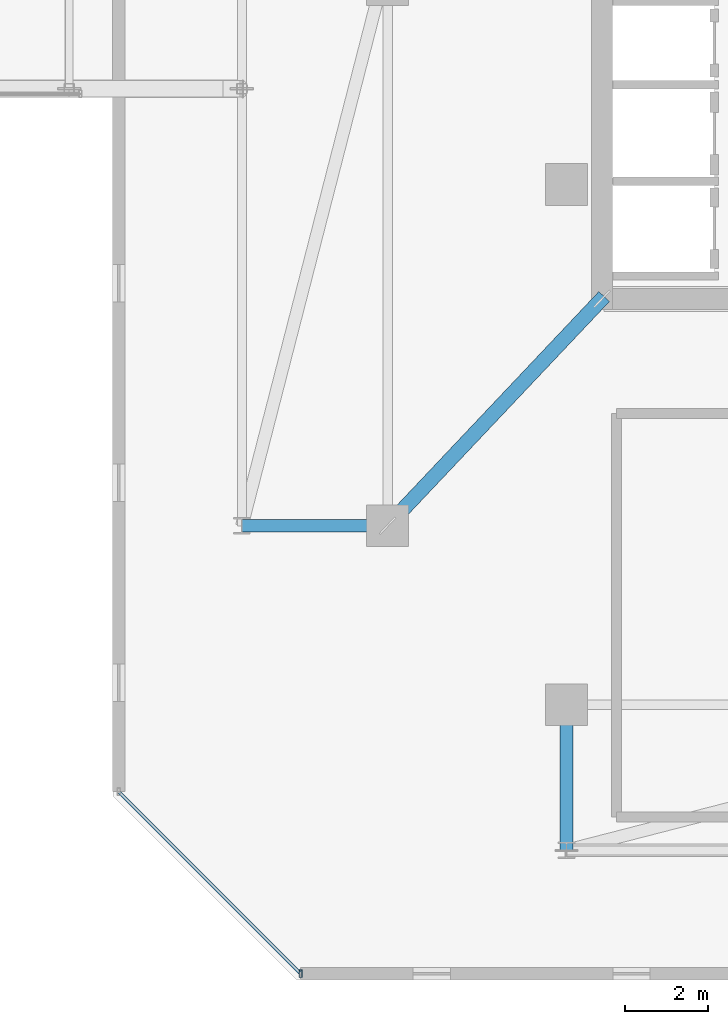
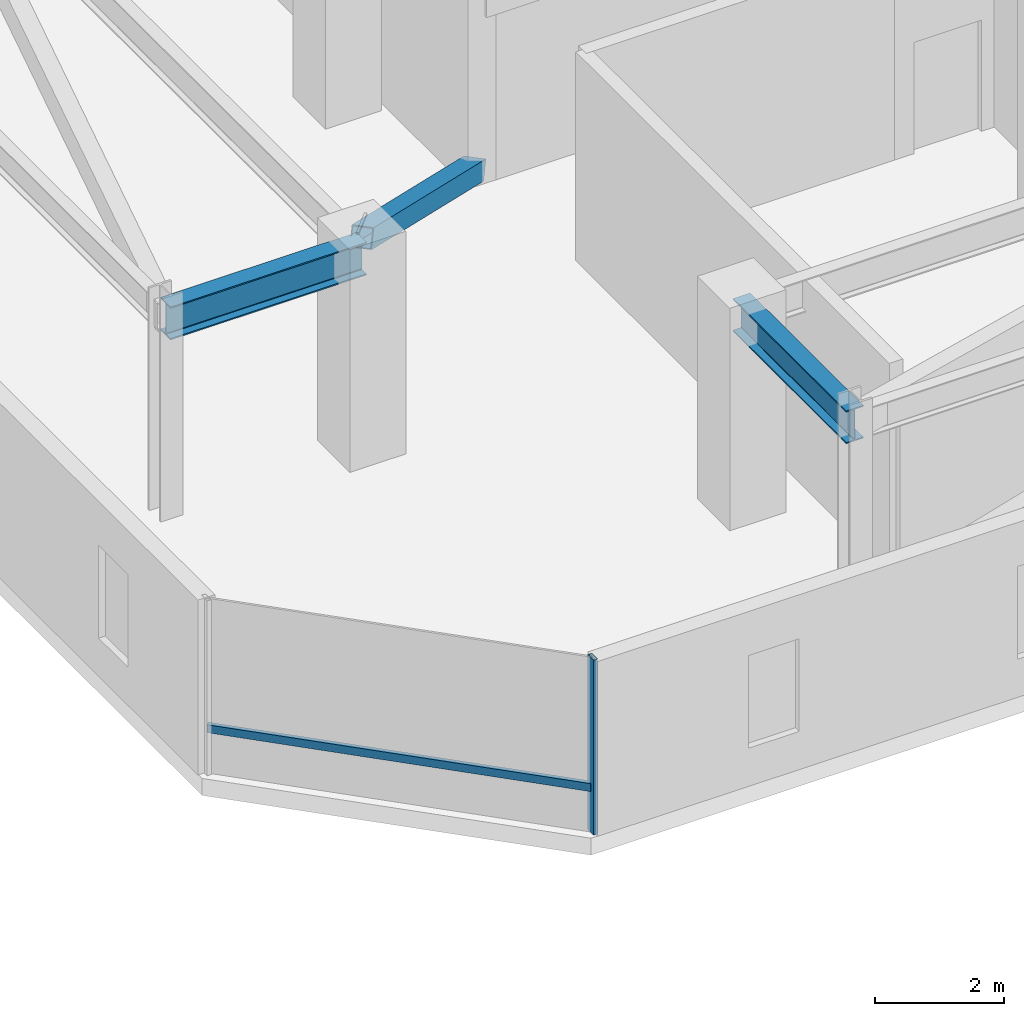
# One storey, part 18 of 42: 3 members, 2 beams, 1 element without a shape of its own.
"""IFC4 building model written with IfcOpenShell, lengths in metres."""

from ifc_helpers import new_model, si_unit, direction, frame, origin, origin_2d, place, context, subcontext, project, spatial, hollow_rectangle, i_section, extrude, material, material_profile, profile_set, type_object, element, aggregate, save


model = new_model("IFC4")

# Units and contexts
model_context = context("Model", 3, precision=1e-05, world=origin(), true_north=direction((0.0, 1.0)))
body_context = subcontext(model_context, "Body", "Model", "MODEL_VIEW")
ifc_project = project(units=[si_unit("LENGTHUNIT", "METRE"), si_unit("AREAUNIT", "SQUARE_METRE"), si_unit("VOLUMEUNIT", "CUBIC_METRE"), si_unit("PLANEANGLEUNIT", "RADIAN"), si_unit("MASSUNIT", "GRAM", prefix="KILO")], contexts=[model_context])

# Site, building, storey
site_placement = place(None, origin())
site = spatial("IfcSite", under=ifc_project, at=site_placement, CompositionType="ELEMENT")
building_placement = place(site_placement, origin())
building = spatial("IfcBuilding", under=site, at=building_placement, Name="Thornwick Lancets Civic Towers", CompositionType="ELEMENT")
storey_placement = place(building_placement, frame((0.0, 0.0, 221.699951171875)))
storey = spatial("IfcBuildingStorey", under=building, at=storey_placement, Name="L59", CompositionType="ELEMENT", Elevation=221.699951171875)

# Beams
ifc_material_1 = material(Name="Steel S355JR", Category="steel")
ifc_material_profile_1 = material_profile(ifc_material_1, i_section(OverallWidth=0.30712890625, OverallDepth=0.6201171875, WebThickness=0.01416015625, FlangeThickness=0.023681640625, FilletRadius=0.0166015625, at=origin_2d()), Name="UKB 610x305x179")
ifc_profile_set_1 = profile_set([ifc_material_profile_1], Name="Steel S355JR")
beam_type = type_object("IfcBeamType", Name="BM_GIRD_610_179", PredefinedType="BEAM", material=ifc_profile_set_1)
for number, where, z_axis, x_axis, name in (
    (1, (71.199951171875, 14.0, 3.64990234375), (-1.0, 0.0, 0.0), (0.0, -1.0, 0.0), "BM-RAD-L59-B07"),
    (2, (75.5, 9.699951171875, 3.64990234375), (0.0, -1.0, 0.0), (1.0, 0.0, 0.0), "BM-RAD-L59-B12"),
):
    element("IfcBeam", number, at=place(storey_placement, frame(where, z_axis=z_axis, x_axis=x_axis)), inside=storey, type_object=beam_type, Name=name, PredefinedType="BEAM", context=body_context, shape_type="SweptSolid", body=[
        extrude(i_section(OverallWidth=0.30712890625, OverallDepth=0.6201171875, WebThickness=0.01416015625, FlangeThickness=0.023681640625, FilletRadius=0.0166015625, at=origin_2d()), origin(), (0.0, 0.0, 1.0), 3.5),
    ])

# Curtain wall, members
ifc_material_2 = material(Name="High-zone chamfered-corner unitised glass curtain wall", Category="glass")
curtain_wall_type = type_object("IfcCurtainWallType", Name="CW_SYS_05", PredefinedType="NOTDEFINED", material=ifc_material_2)
curtain_wall_placement = place(storey_placement, origin())
curtain_wall = element("IfcCurtainWall", 3, at=curtain_wall_placement, inside=storey, type_object=curtain_wall_type, Name="L59 Curtain Wall CW-L59-B-E7", PredefinedType="NOTDEFINED")
ifc_material_3 = material(Name="Thermally broken bronze aluminium S355", Category="steel")
ifc_material_profile_2 = material_profile(ifc_material_3, hollow_rectangle(XDim=0.074951171875, YDim=0.179931640625, WallThickness=0.006103515625, at=origin_2d()), Name="RHS 180x75x6")
ifc_profile_set_2 = profile_set([ifc_material_profile_2], Name="Thermally broken bronze aluminium S355")
member_type_1 = type_object("IfcMemberType", Name="CW_MUL_180", PredefinedType="MULLION", material=ifc_profile_set_2)
member_1_placement = place(storey_placement, frame((69.111572265625, 3.2412109375, 0.0), z_axis=(0.0, 0.0, 1.0), x_axis=(1.0, 0.0, 0.0)))
member_1 = element("IfcMember", 4, at=member_1_placement, type_object=member_type_1, Name="CW-L59-B-E7 Mullion 1", PredefinedType="MULLION", context=body_context, shape_type="SweptSolid", body=[
    extrude(hollow_rectangle(XDim=0.074951171875, YDim=0.179931640625, WallThickness=0.006103515625, at=origin_2d()), origin(), (0.0, 0.0, 1.0), 3.300048828125),
])
ifc_material_profile_3 = material_profile(ifc_material_3, hollow_rectangle(XDim=0.074951171875, YDim=0.14990234375, WallThickness=0.0048828125, at=origin_2d()), Name="RHS 150x75x5")
ifc_profile_set_3 = profile_set([ifc_material_profile_3], Name="Thermally broken bronze aluminium S355")
member_type_2 = type_object("IfcMemberType", Name="CW_TRN_150", PredefinedType="USERDEFINED", material=ifc_profile_set_3)
member_2_placement = place(storey_placement, frame((64.75537109375, 7.597412109375, 0.85009765625), z_axis=(0.707106781187, -0.707106781187, 0.0), x_axis=(0.707106781187, 0.707106781187, 0.0)))
member_2 = element("IfcMember", 5, at=member_2_placement, type_object=member_type_2, Name="CW-L59-B-E7 Transom 0", ObjectType="TRANSOM", PredefinedType="USERDEFINED", context=body_context, shape_type="SweptSolid", body=[
    extrude(hollow_rectangle(XDim=0.074951171875, YDim=0.14990234375, WallThickness=0.0048828125, at=origin_2d()), origin(), (0.0, 0.0, 1.0), 6.140625),
])
aggregate(curtain_wall, [member_1, member_2])

# Member
ifc_material_4 = material(Name="Steel S460M", Category="steel")
ifc_material_profile_4 = material_profile(ifc_material_4, hollow_rectangle(XDim=0.35009765625, YDim=0.35009765625, WallThickness=0.01611328125, at=origin_2d()), Name="SHS 350x350x16")
ifc_profile_set_4 = profile_set([ifc_material_profile_4], Name="Steel S460M")
member_type_3 = type_object("IfcMemberType", Name="MEM_OUTRIG_SHS350", PredefinedType="BRACE", material=ifc_profile_set_4)
member_3_placement = place(storey_placement, frame((76.35009765625, 19.449951171875, 0.150146484375), z_axis=(-0.612329269887, -0.647974699772, 0.452969815434), x_axis=(0.726815378038, -0.686832880872, 0.0)))
element("IfcMember", 6, at=member_3_placement, inside=storey, type_object=member_type_3, Name="L59 Outrigger Brace B-3", PredefinedType="BRACE", context=body_context, shape_type="SweptSolid", body=[
    extrude(hollow_rectangle(XDim=0.35009765625, YDim=0.35009765625, WallThickness=0.01611328125, at=origin_2d()), origin(), (0.0, 0.0, 1.0), 8.41064453125),
])

save(model, "model.ifc")
